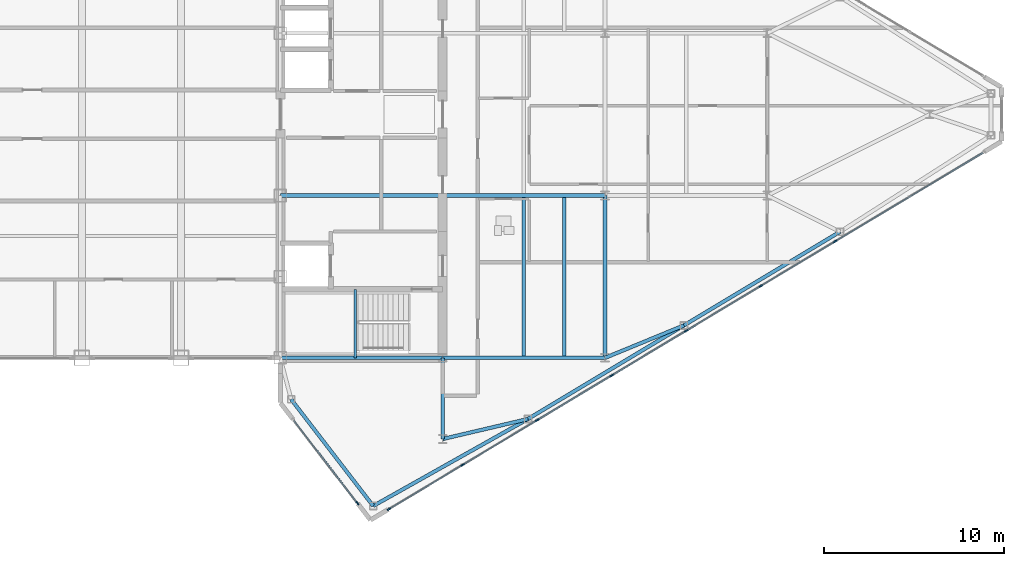
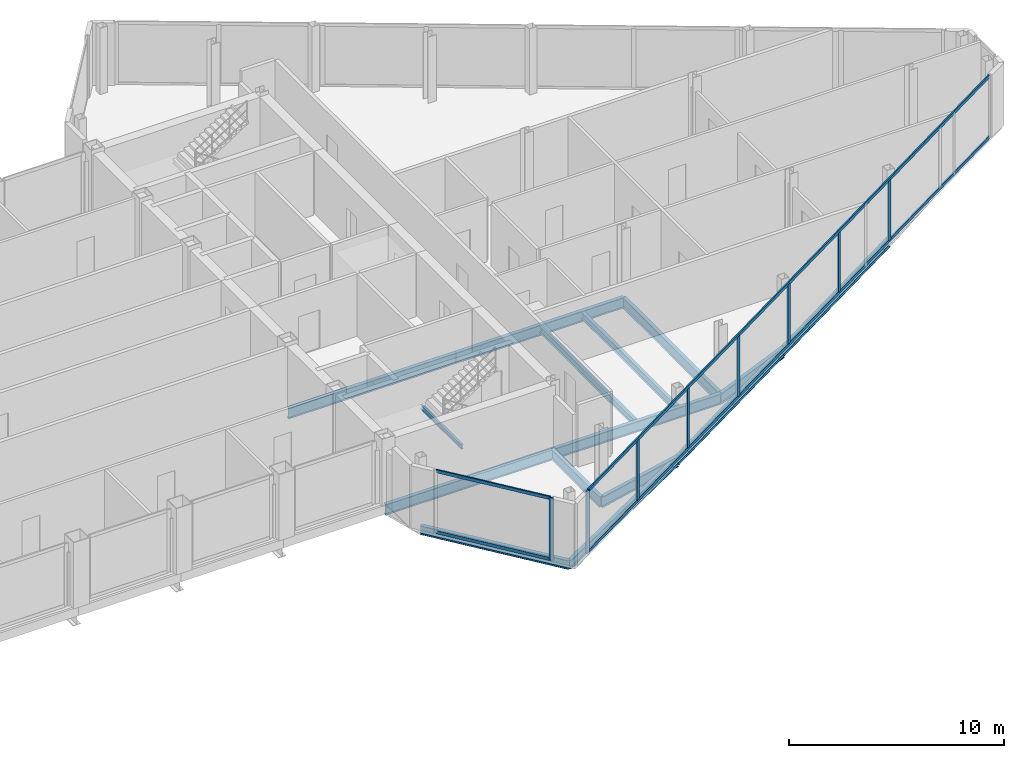
# One storey, part 14 of 29: 15 beams, 12 members, 2 elements without a shape of their own.
"""IFC4 building model written with IfcOpenShell, lengths in metres."""

import ifcopenshell
import ifcopenshell.guid

model = None  # the IFC model being written
_history = None  # IfcOwnerHistory: only IFC2X3 demands one
_inside = {}  # id of a spatial element -> (the spatial element, [elements in it])
_under = {}  # id of a project, library or spatial element -> (it, [spatial elements below it])
_declared = {}  # id of a project -> (the project, [libraries it declares])
_typed = {}  # id of a type object -> (the type object, [elements of that type])
_made_of = {}  # id of a material, layer set ... -> (it, [elements and type objects made of it])


def new_model(schema):
    """Start an empty IFC model of exactly this schema.

    Asked for "IFC4X3", IfcOpenShell would pick the latest addendum, in which some entities
    have other attributes; the version numbers below select the first issue.
    IFC2X3 requires an IfcOwnerHistory on every rooted entity: one is made here for all.
    """
    global model, _history
    if schema == "IFC4X3":
        model = ifcopenshell.file(schema_version=(4, 3, 0, 0))
    else:
        model = ifcopenshell.file(schema=schema)
    _inside.clear()
    _under.clear()
    _declared.clear()
    _typed.clear()
    _made_of.clear()
    _history = None
    if model.schema == "IFC2X3":
        org = make("IfcOrganization", Name="unknown")
        user = make(
            "IfcPersonAndOrganization",
            ThePerson=make("IfcPerson", FamilyName="unknown"),
            TheOrganization=org,
        )
        app = make(
            "IfcApplication",
            ApplicationDeveloper=org,
            Version="unknown",
            ApplicationFullName="unknown",
            ApplicationIdentifier="unknown",
        )
        _history = make(
            "IfcOwnerHistory",
            OwningUser=user,
            OwningApplication=app,
            ChangeAction="ADDED",
            CreationDate=0,
        )
    return model


def make(cls, **values):
    """One entity of the class cls with the attributes given. An attribute that is None is left unset."""
    return model.create_entity(
        cls, **{name: value for name, value in values.items() if value is not None}
    )


def rooted(cls, **values):
    """An entity with a GlobalId (a new one), such as an element, a storey or a relation."""
    return make(cls, GlobalId=ifcopenshell.guid.new(), OwnerHistory=_history, **values)


def si_unit(unit_type, name, prefix=None):
    """IfcSIUnit, for example si_unit("LENGTHUNIT", "METRE", prefix="MILLI")."""
    return make("IfcSIUnit", UnitType=unit_type, Prefix=prefix, Name=name)


def assignment(units):
    """IfcUnitAssignment: the units of a project."""
    return None if units is None else make("IfcUnitAssignment", Units=units)


def point(xyz):
    """IfcCartesianPoint."""
    return None if xyz is None else make("IfcCartesianPoint", Coordinates=xyz)


def direction(xyz):
    """IfcDirection."""
    return None if xyz is None else make("IfcDirection", DirectionRatios=xyz)


def frame(location, z_axis=None, x_axis=None):
    """IfcAxis2Placement3D, a coordinate frame: its origin and axes. An axis left out is left unset."""
    return make(
        "IfcAxis2Placement3D",
        Location=point(location),
        Axis=direction(z_axis),
        RefDirection=direction(x_axis),
    )


def frame_2d(location, x_axis=None):
    """IfcAxis2Placement2D, a coordinate frame in the plane: its origin and x axis."""
    return make(
        "IfcAxis2Placement2D", Location=point(location), RefDirection=direction(x_axis)
    )


def origin():
    """The frame at (0, 0, 0) with its axes left unset."""
    return frame((0.0, 0.0, 0.0))


def origin_2d():
    """The frame at (0, 0) in the plane with its x axis left unset."""
    return frame_2d((0.0, 0.0))


def place(relative_to, where):
    """IfcLocalPlacement: puts the frame where relative to a parent placement (None: the world)."""
    return make(
        "IfcLocalPlacement", PlacementRelTo=relative_to, RelativePlacement=where
    )


def context(
    kind, dimensions, precision=None, world=None, true_north=None, identifier=None
):
    """IfcGeometricRepresentationContext, for example the 3D "Model" context."""
    return make(
        "IfcGeometricRepresentationContext",
        ContextIdentifier=identifier,
        ContextType=kind,
        CoordinateSpaceDimension=dimensions,
        Precision=precision,
        WorldCoordinateSystem=world,
        TrueNorth=true_north,
    )


def subcontext(parent, identifier, kind, view, scale=None):
    """IfcGeometricRepresentationSubContext, for example "Body" below "Model"."""
    return make(
        "IfcGeometricRepresentationSubContext",
        ContextIdentifier=identifier,
        ContextType=kind,
        ParentContext=parent,
        TargetScale=scale,
        TargetView=view,
    )


def project(units=None, contexts=None):
    """IfcProject with its units and contexts."""
    return rooted(
        "IfcProject",
        Name="project",
        RepresentationContexts=contexts,
        UnitsInContext=assignment(units),
    )


def spatial(cls, under=None, at=None, **own):
    """A site, building, storey or space (cls), placed at a placement, below another one or the project."""
    s = rooted(cls, ObjectPlacement=at, **own)
    if under is not None:
        _under.setdefault(under.id(), (under, []))[1].append(s)
    return s


def profile(cls, at=None, kind="AREA", **sizes):
    """A parametric profile (cls). Its sizes go by their IFC names, for example OverallWidth=200.0."""
    return make(cls, ProfileType=kind, Position=at, **sizes)


def rectangle(**sizes):
    """IfcRectangleProfileDef."""
    return profile("IfcRectangleProfileDef", **sizes)


def i_section(**sizes):
    """IfcIShapeProfileDef."""
    return profile("IfcIShapeProfileDef", **sizes)


def extrude(swept, where, along, depth):
    """IfcExtrudedAreaSolid: the profile swept, set in the frame where, extruded along a direction by depth."""
    return make(
        "IfcExtrudedAreaSolid",
        SweptArea=swept,
        Position=where,
        ExtrudedDirection=direction(along),
        Depth=depth,
    )


def shape(context_of_items, identifier, shape_type, items):
    """IfcShapeRepresentation: the items that make up one representation, for example the "Body"."""
    return make(
        "IfcShapeRepresentation",
        ContextOfItems=context_of_items,
        RepresentationIdentifier=identifier,
        RepresentationType=shape_type,
        Items=items,
    )


def source(mapping_origin, context_of_items, identifier, shape_type, items):
    """IfcRepresentationMap: a shape defined once, which mapped items show again and again."""
    return make(
        "IfcRepresentationMap",
        MappingOrigin=mapping_origin,
        MappedRepresentation=shape(context_of_items, identifier, shape_type, items),
    )


def transform(
    local_origin,
    x_axis=None,
    y_axis=None,
    z_axis=None,
    scale=None,
    scale2=None,
    scale3=None,
    uniform=True,
):
    """IfcCartesianTransformationOperator3D, or its non-uniform kind. x_axis, y_axis, z_axis: its Axis1, 2, 3."""
    if uniform:
        return make(
            "IfcCartesianTransformationOperator3D",
            Axis1=direction(x_axis),
            Axis2=direction(y_axis),
            LocalOrigin=point(local_origin),
            Scale=scale,
            Axis3=direction(z_axis),
        )
    return make(
        "IfcCartesianTransformationOperator3DnonUniform",
        Axis1=direction(x_axis),
        Axis2=direction(y_axis),
        LocalOrigin=point(local_origin),
        Scale=scale,
        Axis3=direction(z_axis),
        Scale2=scale2,
        Scale3=scale3,
    )


def mapped(mapping_source, mapping_target):
    """IfcMappedItem: shows the shape of a source again, moved by a transform."""
    return make(
        "IfcMappedItem", MappingSource=mapping_source, MappingTarget=mapping_target
    )


def material(Name=None, Category=None):
    """IfcMaterial."""
    return make("IfcMaterial", Name=Name, Category=Category)


def layer(
    of_material, thickness, ventilated=None, Name=None, Category=None, Priority=None
):
    """IfcMaterialLayer: one layer of a wall or slab, of a material (None: an air gap)."""
    return make(
        "IfcMaterialLayer",
        Material=of_material,
        LayerThickness=thickness,
        IsVentilated=ventilated,
        Name=Name,
        Category=Category,
        Priority=Priority,
    )


def layer_set(layers, Name=None):
    """IfcMaterialLayerSet."""
    return make("IfcMaterialLayerSet", MaterialLayers=layers, LayerSetName=Name)


def material_profile(
    of_material, cross_section, Name=None, Category=None, Priority=None
):
    """IfcMaterialProfile: a cross section and its material."""
    return make(
        "IfcMaterialProfile",
        Name=Name,
        Material=of_material,
        Profile=cross_section,
        Priority=Priority,
        Category=Category,
    )


def profile_set(profiles, Name=None, composite=None):
    """IfcMaterialProfileSet."""
    return make(
        "IfcMaterialProfileSet",
        Name=Name,
        MaterialProfiles=profiles,
        CompositeProfile=composite,
    )


def made_of(thing, what):
    """Note that an element or type object is made of a material, layer set ...; save() writes the relation."""
    if what is not None:
        _made_of.setdefault(what.id(), (what, []))[1].append(thing)
    return thing


def type_object(cls, material=None, **own):
    """A type object (cls), such as IfcWallType, which elements share."""
    return made_of(rooted(cls, **own), material)


def type_shapes(of_type, sources):
    """Give a type object the sources (RepresentationMaps) that its elements show as mapped items."""
    of_type.RepresentationMaps = sources


def element(
    cls,
    number,
    at=None,
    inside=None,
    cuts=None,
    type_object=None,
    material=None,
    context=None,
    identifier="Body",
    shape_type=None,
    held_by="IfcProductDefinitionShape",
    body=None,
    shapes=None,
    **own,
):
    """One element of the class cls, such as IfcWall. Its Tag is "e" and its number.

    at: its placement. inside: the storey or other place that contains it. cuts: it is an
    opening in that element (IfcRelVoidsElement). A single representation is given by context,
    identifier, shape_type and body (its items); several are given by shapes. held_by: the class
    of the entity that holds the representations. save() writes the other relations.
    """
    e = rooted(cls, Tag="e%d" % number, ObjectPlacement=at, **own)
    if body is not None:
        shapes = [shape(context, identifier, shape_type, body)]
    if shapes is not None:
        e.Representation = make(held_by, Representations=shapes)
    if inside is not None:
        _inside.setdefault(inside.id(), (inside, []))[1].append(e)
    if cuts is not None:
        rooted(
            "IfcRelVoidsElement", RelatingBuildingElement=cuts, RelatedOpeningElement=e
        )
    if type_object is not None:
        _typed.setdefault(type_object.id(), (type_object, []))[1].append(e)
    return made_of(e, material)


def aggregate(whole, parts):
    """IfcRelAggregates: a whole, such as a stair, and the parts it consists of."""
    return rooted("IfcRelAggregates", RelatingObject=whole, RelatedObjects=parts)


def save(model, path):
    """Write the relations noted so far, then the file.

    IfcRelAggregates (storeys below a building ...), IfcRelContainedInSpatialStructure (elements
    in a storey), IfcRelDefinesByType, IfcRelAssociatesMaterial and IfcRelDeclares: one each for
    every whole, place, type object, material and project.
    """
    for whole, parts in _under.values():
        aggregate(whole, parts)
    for where, things in _inside.values():
        rooted(
            "IfcRelContainedInSpatialStructure",
            RelatedElements=things,
            RelatingStructure=where,
        )
    for kind, things in _typed.values():
        rooted("IfcRelDefinesByType", RelatedObjects=things, RelatingType=kind)
    for what, things in _made_of.values():
        rooted("IfcRelAssociatesMaterial", RelatedObjects=things, RelatingMaterial=what)
    for by, libraries in _declared.values():
        rooted("IfcRelDeclares", RelatingContext=by, RelatedDefinitions=libraries)
    model.write(path)


model = new_model("IFC4")

# Units and contexts
model_context = context("Model", 3, precision=1e-05, world=origin(), true_north=direction((0.0, 1.0)))
body_context = subcontext(model_context, "Body", "Model", "MODEL_VIEW")
ifc_project = project(units=[si_unit("LENGTHUNIT", "METRE"), si_unit("AREAUNIT", "SQUARE_METRE"), si_unit("VOLUMEUNIT", "CUBIC_METRE"), si_unit("PLANEANGLEUNIT", "RADIAN"), si_unit("MASSUNIT", "GRAM", prefix="KILO")], contexts=[model_context])

# Site, building, storey
site_placement = place(None, origin())
site = spatial("IfcSite", under=ifc_project, at=site_placement, CompositionType="ELEMENT")
building_placement = place(site_placement, origin())
building = spatial("IfcBuilding", under=site, at=building_placement, Name="Seokmaru Belvedere", CompositionType="ELEMENT")
storey_placement = place(building_placement, frame((0.0, 0.0, 250.64990234375)))
storey = spatial("IfcBuildingStorey", under=building, at=storey_placement, Name="L66", CompositionType="ELEMENT", Elevation=250.64990234375)

# Beams
ifc_material_1 = material(Name="Steel SM355 (355 MPa)", Category="steel")
ifc_material_profile_1 = material_profile(ifc_material_1, i_section(OverallWidth=0.199951171875, OverallDepth=0.60009765625, WebThickness=0.010986328125, FlangeThickness=0.01708984375, at=origin_2d()), Name="H-600x200x11x17")
ifc_profile_set_1 = profile_set([ifc_material_profile_1], Name="Steel SM355 (355 MPa)")
beam_type_1 = type_object("IfcBeamType", Name="Primary Floor Girder H-600", PredefinedType="BEAM", material=ifc_profile_set_1)
shared_shape_1 = source(origin(), body_context, "Body", "SweptSolid", [
    extrude(i_section(OverallWidth=0.199951171875, OverallDepth=0.60009765625, WebThickness=0.010986328125, FlangeThickness=0.01708984375, at=origin_2d()), origin(), (0.0, 0.0, 1.0), 9.0),
])
for number, where, z_axis, x_axis, name in (
    (1, (45.5, -13.5, -0.52001953125), (0.0, 1.0, 0.0), (-1.0, 0.0, 0.0), "L66 E Interior Grid Girder 1"),
    (2, (27.5, -13.5, -0.52001953125), (1.0, 0.0, 0.0), (0.0, 1.0, 0.0), "L66 E Core Tie Girder 1"),
    (3, (36.5, -13.5, -0.52001953125), (1.0, 0.0, 0.0), (0.0, 1.0, 0.0), "L66 E Wing Primary Girder 1"),
    (4, (27.5, -4.5, -0.52001953125), (1.0, 0.0, 0.0), (0.0, 1.0, 0.0), "L66 E Core Tie Girder 2"),
    (5, (36.5, -4.5, -0.52001953125), (1.0, 0.0, 0.0), (0.0, 1.0, 0.0), "L66 E Wing Primary Girder 2"),
):
    element("IfcBeam", number, at=place(storey_placement, frame(where, z_axis=z_axis, x_axis=x_axis)), inside=storey, type_object=beam_type_1, Name=name, PredefinedType="BEAM", context=body_context, shape_type="MappedRepresentation", body=[
        mapped(shared_shape_1, transform((0.0, 0.0, 0.0), scale=1.0)),
    ])
ifc_material_profile_2 = material_profile(ifc_material_1, i_section(OverallWidth=0.18505859375, OverallDepth=0.389892578125, WebThickness=0.008056640625, FlangeThickness=0.011962890625, at=origin_2d()), Name="H-390x185x8x12")
ifc_profile_set_2 = profile_set([ifc_material_profile_2], Name="Steel SM355 (355 MPa)")
beam_type_2 = type_object("IfcBeamType", Name="Secondary Floor Joist H-350", PredefinedType="JOIST", material=ifc_profile_set_2)
shared_shape_2 = source(origin(), body_context, "Body", "SweptSolid", [
    extrude(i_section(OverallWidth=0.18505859375, OverallDepth=0.389892578125, WebThickness=0.008056640625, FlangeThickness=0.011962890625, at=origin_2d()), origin(), (0.0, 0.0, 1.0), 8.7900390625),
])
type_shapes(beam_type_2, [shared_shape_2])
for number, where, z_axis, x_axis, name in (
    (6, (43.25, -13.39501953125, -0.414794921875), (0.0, 1.0, 0.0), (-1.0, 0.0, 0.0), "L66 E Wing Inner Secondary Joist 1"),
    (7, (41.0, -13.39501953125, -0.414794921875), (0.0, 1.0, 0.0), (-1.0, 0.0, 0.0), "L66 E Secondary Floor Joist 1"),
):
    element("IfcBeam", number, at=place(storey_placement, frame(where, z_axis=z_axis, x_axis=x_axis)), inside=storey, type_object=beam_type_2, Name=name, PredefinedType="JOIST", context=body_context, shape_type="MappedRepresentation", body=[
        mapped(shared_shape_2, transform((0.0, 0.0, 0.0), scale=1.0)),
    ])
shared_shape_3 = source(origin(), body_context, "Body", "SweptSolid", [
    extrude(i_section(OverallWidth=0.199951171875, OverallDepth=0.60009765625, WebThickness=0.010986328125, FlangeThickness=0.01708984375, at=origin_2d()), origin(), (0.0, 0.0, 1.0), 4.5),
])
beam_1_placement = place(storey_placement, frame((36.5, -18.0, -0.52001953125), z_axis=(0.0, 1.0, 0.0), x_axis=(-1.0, 0.0, 0.0)))
element("IfcBeam", 8, at=beam_1_placement, inside=storey, type_object=beam_type_1, Name="L66 E Core Shoulder Girder S", PredefinedType="BEAM", context=body_context, shape_type="MappedRepresentation", body=[
    mapped(shared_shape_3, transform((0.0, 0.0, 0.0), scale=1.0)),
])
ifc_material_profile_3 = material_profile(ifc_material_1, i_section(OverallWidth=0.199951171875, OverallDepth=0.5, WebThickness=0.010009765625, FlangeThickness=0.01611328125, at=origin_2d()), Name="H-500x200x10x16")
ifc_profile_set_3 = profile_set([ifc_material_profile_3], Name="Steel SM355 (355 MPa)")
beam_type_3 = type_object("IfcBeamType", Name="Perimeter Spandrel Beam H-500", PredefinedType="SPANDREL", material=ifc_profile_set_3)
shared_shape_4 = source(origin(), body_context, "Body", "SweptSolid", [
    extrude(i_section(OverallWidth=0.199951171875, OverallDepth=0.5, WebThickness=0.010009765625, FlangeThickness=0.01611328125, at=origin_2d()), origin(), (0.0, 0.0, 1.0), 9.842041015625),
])
beam_2_placement = place(storey_placement, frame((32.649658203125, -21.71044921875, -0.469970703125), z_axis=(0.871782151818, 0.489893743349, 0.0), x_axis=(-0.489893743349, 0.871782151818, 0.0)))
element("IfcBeam", 9, at=beam_2_placement, inside=storey, type_object=beam_type_3, Name="L66 E Faceted Flank Spandrel S-1", PredefinedType="SPANDREL", context=body_context, shape_type="MappedRepresentation", body=[
    mapped(shared_shape_4, transform((0.0, 0.0, 0.0), scale=1.0)),
])
shared_shape_5 = source(origin(), body_context, "Body", "SweptSolid", [
    extrude(i_section(OverallWidth=0.199951171875, OverallDepth=0.5, WebThickness=0.010009765625, FlangeThickness=0.01611328125, at=origin_2d()), origin(), (0.0, 0.0, 1.0), 10.087646484375),
])
for number, where, z_axis, x_axis, name in (
    (10, (41.229736328125, -16.888916015625, -0.469970703125), (0.857499332045, 0.514485078056, 0.0), (-0.514485078056, 0.857499332045, 0.0), "L66 E Faceted Flank Spandrel S-2"),
    (11, (49.8798828125, -11.698974609375, -0.469970703125), (0.857488654804, 0.514502873542, 0.0), (-0.514502873542, 0.857488654804, 0.0), "L66 E Faceted Flank Spandrel S-3"),
):
    element("IfcBeam", number, at=place(storey_placement, frame(where, z_axis=z_axis, x_axis=x_axis)), inside=storey, type_object=beam_type_3, Name=name, PredefinedType="SPANDREL", context=body_context, shape_type="MappedRepresentation", body=[
        mapped(shared_shape_5, transform((0.0, 0.0, 0.0), scale=1.0)),
    ])
shared_shape_6 = source(origin(), body_context, "Body", "SweptSolid", [
    extrude(i_section(OverallWidth=0.199951171875, OverallDepth=0.5, WebThickness=0.010009765625, FlangeThickness=0.01611328125, at=origin_2d()), origin(), (0.0, 0.0, 1.0), 7.4619140625),
])
type_shapes(beam_type_3, [shared_shape_4, shared_shape_5, shared_shape_6])
beam_3_placement = place(storey_placement, frame((32.649658203125, -21.71044921875, -0.469970703125), z_axis=(-0.609702854945, 0.792630070507, 0.0), x_axis=(-0.792630070507, -0.609702854945, 0.0)))
element("IfcBeam", 12, at=beam_3_placement, inside=storey, type_object=beam_type_3, Name="L66 E Shoulder Chamfer Spandrel S", PredefinedType="SPANDREL", context=body_context, shape_type="MappedRepresentation", body=[
    mapped(shared_shape_6, transform((0.0, 0.0, 0.0), scale=1.0)),
])
shared_shape_7 = source(origin(), body_context, "Body", "SweptSolid", [
    extrude(i_section(OverallWidth=0.199951171875, OverallDepth=0.60009765625, WebThickness=0.010986328125, FlangeThickness=0.01708984375, at=origin_2d()), origin(), (0.0, 0.0, 1.0), 4.8583984375),
])
beam_4_placement = place(storey_placement, frame((41.229736328125, -16.888916015625, -0.52001953125), z_axis=(-0.97349948295, -0.228689214211, 0.0), x_axis=(0.228689214211, -0.97349948295, 0.0)))
element("IfcBeam", 13, at=beam_4_placement, inside=storey, type_object=beam_type_1, Name="L66 E Flank Radial Floor Girder S-1", PredefinedType="BEAM", context=body_context, shape_type="MappedRepresentation", body=[
    mapped(shared_shape_7, transform((0.0, 0.0, 0.0), scale=1.0)),
])
shared_shape_8 = source(origin(), body_context, "Body", "SweptSolid", [
    extrude(i_section(OverallWidth=0.199951171875, OverallDepth=0.60009765625, WebThickness=0.010986328125, FlangeThickness=0.01708984375, at=origin_2d()), origin(), (0.0, 0.0, 1.0), 4.73583984375),
])
type_shapes(beam_type_1, [shared_shape_1, shared_shape_3, shared_shape_7, shared_shape_8])
beam_5_placement = place(storey_placement, frame((49.8798828125, -11.698974609375, -0.52001953125), z_axis=(-0.924860562953, -0.380306375301, 0.0), x_axis=(0.380306375301, -0.924860562953, 0.0)))
element("IfcBeam", 14, at=beam_5_placement, inside=storey, type_object=beam_type_1, Name="L66 E Flank Radial Floor Girder S-2", PredefinedType="BEAM", context=body_context, shape_type="MappedRepresentation", body=[
    mapped(shared_shape_8, transform((0.0, 0.0, 0.0), scale=1.0)),
])

# Curtain wall, members
ifc_material_2 = material(Name="Bronze Triple Insulating Glass", Category="glass")
ifc_layer = layer(ifc_material_2, 0.219970703125)
ifc_layer_set = layer_set([ifc_layer], Name="Bronze Triple Insulating Glass")
curtain_wall_type = type_object("IfcCurtainWallType", Name="Sky-Gate Bridge Panorama Curtain Wall System CW-6", PredefinedType="NOTDEFINED", material=ifc_layer_set)
curtain_wall_1_placement = place(storey_placement, origin())
curtain_wall_1 = element("IfcCurtainWall", 15, at=curtain_wall_1_placement, inside=storey, type_object=curtain_wall_type, Name="L66 Curtain Wall EF6", PredefinedType="NOTDEFINED")
ifc_material_3 = material(Name="Anodised Bronze Aluminium", Category="aluminium")
ifc_material_profile_4 = material_profile(ifc_material_3, rectangle(XDim=0.074951171875, YDim=0.179931640625, at=origin_2d()), Name="CW-T-75x180")
ifc_profile_set_4 = profile_set([ifc_material_profile_4], Name="Anodised Bronze Aluminium")
member_type_1 = type_object("IfcMemberType", Name="Bronze Unitised Transom 75x180", PredefinedType="USERDEFINED", material=ifc_profile_set_4)
shared_shape_9 = source(origin(), body_context, "Body", "SweptSolid", [
    extrude(rectangle(XDim=0.074951171875, YDim=0.179931640625, at=origin_2d()), origin(), (0.0, 0.0, 1.0), 5.74072265625),
])
member_1_placement = place(storey_placement, frame((28.25, -16.974853515625, 0.03759765625), z_axis=(0.609686097287, -0.792642960465, 0.0), x_axis=(0.792642960465, 0.609686097287, 0.0)))
member_1 = element("IfcMember", 16, at=member_1_placement, type_object=member_type_1, Name="CW:L66:EF6 Continuous Transom 1", ObjectType="TRANSOM", PredefinedType="USERDEFINED", context=body_context, shape_type="MappedRepresentation", body=[
    mapped(shared_shape_9, transform((0.0, 0.0, 0.0), scale=1.0)),
])
member_2_placement = place(storey_placement, frame((28.25, -16.974853515625, 3.49267578125), z_axis=(0.609686097287, -0.792642960465, 0.0), x_axis=(0.792642960465, 0.609686097287, 0.0)))
member_2 = element("IfcMember", 17, at=member_2_placement, type_object=member_type_1, Name="CW:L66:EF6 Continuous Transom 2", ObjectType="TRANSOM", PredefinedType="USERDEFINED", context=body_context, shape_type="MappedRepresentation", body=[
    mapped(shared_shape_9, transform((0.0, 0.0, 0.0), scale=1.0)),
])

curtain_wall_2_placement = place(storey_placement, origin())
curtain_wall_2 = element("IfcCurtainWall", 18, at=curtain_wall_2_placement, inside=storey, type_object=curtain_wall_type, Name="L66 Curtain Wall EF1", PredefinedType="NOTDEFINED")
shared_shape_10 = source(origin(), body_context, "Body", "SweptSolid", [
    extrude(rectangle(XDim=0.074951171875, YDim=0.179931640625, at=origin_2d()), origin(), (0.0, 0.0, 1.0), 38.356689453125),
])
type_shapes(member_type_1, [shared_shape_9, shared_shape_10])
member_3_placement = place(storey_placement, frame((33.5546875, -21.8671875, 0.03759765625), z_axis=(0.857492925713, 0.514495755428, 0.0), x_axis=(-0.514495755428, 0.857492925713, 0.0)))
member_3 = element("IfcMember", 19, at=member_3_placement, type_object=member_type_1, Name="CW:L66:EF1 Continuous Transom 1", ObjectType="TRANSOM", PredefinedType="USERDEFINED", context=body_context, shape_type="MappedRepresentation", body=[
    mapped(shared_shape_10, transform((0.0, 0.0, 0.0), scale=1.0)),
])
member_4_placement = place(storey_placement, frame((33.5546875, -21.8671875, 3.49267578125), z_axis=(0.857492925713, 0.514495755428, 0.0), x_axis=(-0.514495755428, 0.857492925713, 0.0)))
member_4 = element("IfcMember", 20, at=member_4_placement, type_object=member_type_1, Name="CW:L66:EF1 Continuous Transom 2", ObjectType="TRANSOM", PredefinedType="USERDEFINED", context=body_context, shape_type="MappedRepresentation", body=[
    mapped(shared_shape_10, transform((0.0, 0.0, 0.0), scale=1.0)),
])
ifc_material_profile_5 = material_profile(ifc_material_3, rectangle(XDim=0.080078125, YDim=0.219970703125, at=origin_2d()), Name="CW-M-80x220")
ifc_profile_set_5 = profile_set([ifc_material_profile_5], Name="Anodised Bronze Aluminium")
member_type_2 = type_object("IfcMemberType", Name="Bronze Unitised Mullion 80x220", PredefinedType="MULLION", material=ifc_profile_set_5)
shared_shape_11 = source(origin(), body_context, "Body", "SweptSolid", [
    extrude(rectangle(XDim=0.080078125, YDim=0.219970703125, at=origin_2d()), origin(), (0.0, 0.0, 1.0), 3.530029296875),
])
member_5_placement = place(storey_placement, frame((33.5205078125, -21.8876953125, 0.0), z_axis=(0.0, 0.0, 1.0), x_axis=(-0.514494909364, 0.85749343335, 0.0)))
member_5 = element("IfcMember", 21, at=member_5_placement, type_object=member_type_2, Name="CW:L66:EF1 Mullion 1", PredefinedType="MULLION", context=body_context, shape_type="MappedRepresentation", body=[
    mapped(shared_shape_11, transform((0.0, 0.0, 0.0), scale=1.0)),
])

# Member
member_6_placement = place(storey_placement, frame((31.7744140625, -21.556884765625, 0.0), z_axis=(0.0, 0.0, 1.0), x_axis=(0.792631353244, 0.609701187349, 0.0)))
member_6 = element("IfcMember", 22, at=member_6_placement, type_object=member_type_2, Name="CW:L66:EF6 Mullion 2", PredefinedType="MULLION", context=body_context, shape_type="MappedRepresentation", body=[
    mapped(shared_shape_11, transform((0.0, 0.0, 0.0), scale=1.0)),
])

aggregate(curtain_wall_1, [member_6, member_1, member_2])

shared_shape_12 = source(origin(), body_context, "Body", "SweptSolid", [
    extrude(rectangle(XDim=0.080078125, YDim=0.219970703125, at=origin_2d()), origin(), (0.0, 0.0, 1.0), 3.3798828125),
])
type_shapes(member_type_2, [shared_shape_11, shared_shape_12])
member_7_placement = place(storey_placement, frame((37.614501953125, -19.43115234375, 0.0751953125), z_axis=(0.0, 0.0, 1.0), x_axis=(-0.514494909364, 0.85749343335, 0.0)))
member_7 = element("IfcMember", 23, at=member_7_placement, type_object=member_type_2, Name="CW:L66:EF1 Mullion 2", PredefinedType="MULLION", context=body_context, shape_type="MappedRepresentation", body=[
    mapped(shared_shape_12, transform((0.0, 0.0, 0.0), scale=1.0)),
])

member_8_placement = place(storey_placement, frame((41.7431640625, -16.9541015625, 0.0751953125), z_axis=(0.0, 0.0, 1.0), x_axis=(-0.514494909364, 0.85749343335, 0.0)))
member_8 = element("IfcMember", 24, at=member_8_placement, type_object=member_type_2, Name="CW:L66:EF1 Mullion 3", PredefinedType="MULLION", context=body_context, shape_type="MappedRepresentation", body=[
    mapped(shared_shape_12, transform((0.0, 0.0, 0.0), scale=1.0)),
])

member_9_placement = place(storey_placement, frame((45.87158203125, -14.47705078125, 0.0751953125), z_axis=(0.0, 0.0, 1.0), x_axis=(-0.514494909364, 0.85749343335, 0.0)))
member_9 = element("IfcMember", 25, at=member_9_placement, type_object=member_type_2, Name="CW:L66:EF1 Mullion 4", PredefinedType="MULLION", context=body_context, shape_type="MappedRepresentation", body=[
    mapped(shared_shape_12, transform((0.0, 0.0, 0.0), scale=1.0)),
])

member_10_placement = place(storey_placement, frame((50.0, -12.0, 0.0751953125), z_axis=(0.0, 0.0, 1.0), x_axis=(-0.514494909364, 0.85749343335, 0.0)))
member_10 = element("IfcMember", 26, at=member_10_placement, type_object=member_type_2, Name="CW:L66:EF1 Mullion 5", PredefinedType="MULLION", context=body_context, shape_type="MappedRepresentation", body=[
    mapped(shared_shape_12, transform((0.0, 0.0, 0.0), scale=1.0)),
])

member_11_placement = place(storey_placement, frame((54.12841796875, -9.52294921875, 0.0751953125), z_axis=(0.0, 0.0, 1.0), x_axis=(-0.514494909364, 0.85749343335, 0.0)))
member_11 = element("IfcMember", 27, at=member_11_placement, type_object=member_type_2, Name="CW:L66:EF1 Mullion 6", PredefinedType="MULLION", context=body_context, shape_type="MappedRepresentation", body=[
    mapped(shared_shape_12, transform((0.0, 0.0, 0.0), scale=1.0)),
])

member_12_placement = place(storey_placement, frame((58.257080078125, -7.0458984375, 0.0751953125), z_axis=(0.0, 0.0, 1.0), x_axis=(-0.514494909364, 0.85749343335, 0.0)))
member_12 = element("IfcMember", 28, at=member_12_placement, type_object=member_type_2, Name="CW:L66:EF1 Mullion 7", PredefinedType="MULLION", context=body_context, shape_type="MappedRepresentation", body=[
    mapped(shared_shape_12, transform((0.0, 0.0, 0.0), scale=1.0)),
])

aggregate(curtain_wall_2, [member_5, member_7, member_8, member_9, member_10, member_11, member_12, member_3, member_4])

# Beam
ifc_material_profile_6 = material_profile(ifc_material_1, i_section(OverallWidth=0.125, OverallDepth=0.25, WebThickness=0.006103515625, FlangeThickness=0.009033203125, at=origin_2d()), Name="H-250x125x6x9")
ifc_profile_set_6 = profile_set([ifc_material_profile_6], Name="Steel SM355 (355 MPa)")
beam_type_4 = type_object("IfcBeamType", Name="Stair Mid-Landing Support Beam H-250", PredefinedType="JOIST", material=ifc_profile_set_6)
shared_shape_13 = source(origin(), body_context, "Body", "SweptSolid", [
    extrude(i_section(OverallWidth=0.125, OverallDepth=0.25, WebThickness=0.006103515625, FlangeThickness=0.009033203125, at=origin_2d()), origin(), (0.0, 0.0, 1.0), 3.800048828125),
])
type_shapes(beam_type_4, [shared_shape_13])
beam_6_placement = place(storey_placement, frame((31.64990234375, -13.5, 1.550048828125), z_axis=(0.0, 1.0, 0.0), x_axis=(-1.0, 0.0, 0.0)))
element("IfcBeam", 29, at=beam_6_placement, inside=storey, type_object=beam_type_4, Name="L66 Stair ST-E1 Mid-Landing Support Beam 1", PredefinedType="JOIST", context=body_context, shape_type="MappedRepresentation", body=[
    mapped(shared_shape_13, transform((0.0, 0.0, 0.0), scale=1.0)),
])

save(model, "model.ifc")
